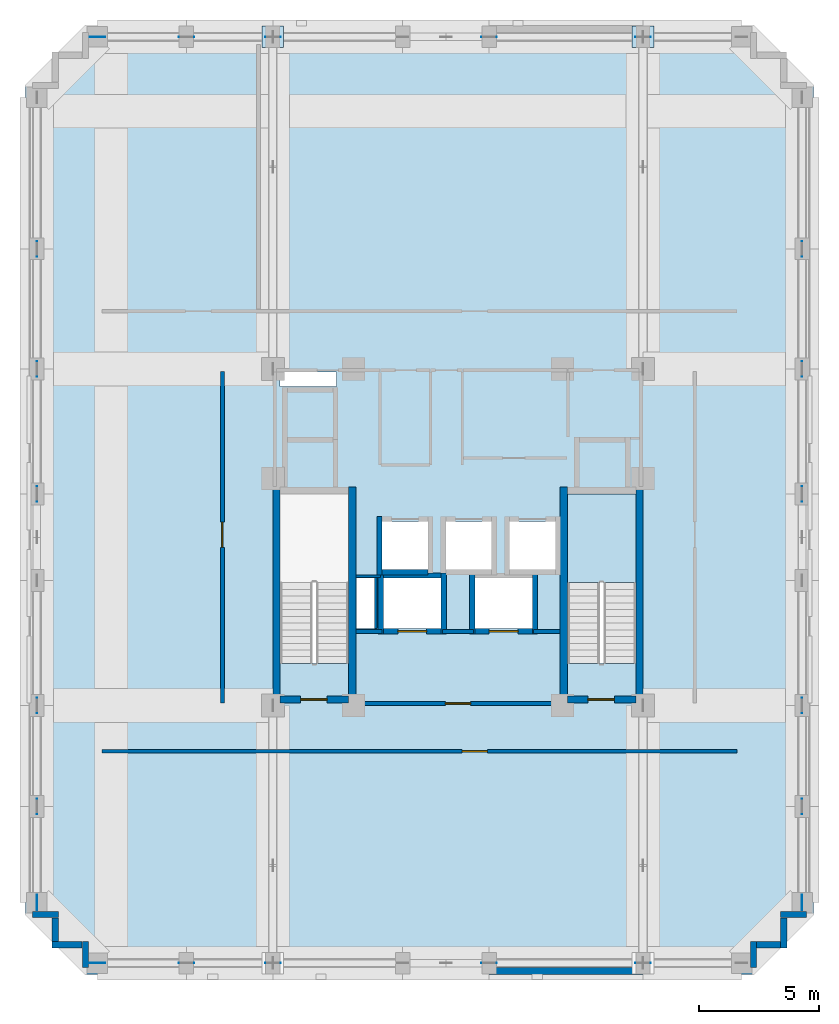
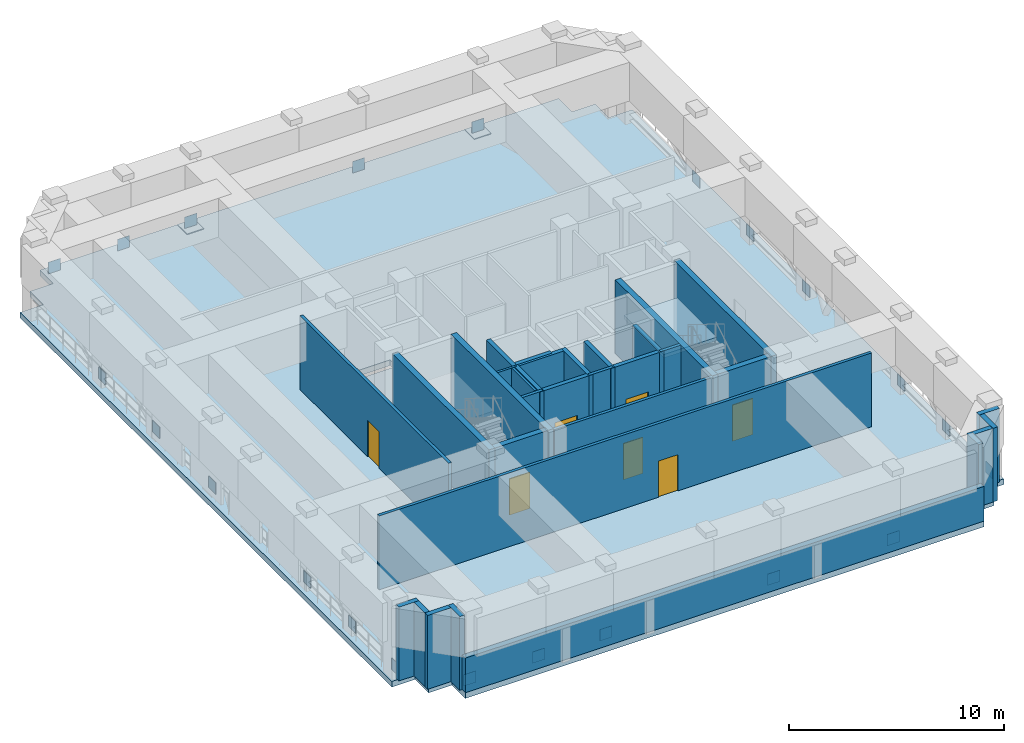
# One storey, part 3 of 12: 32 walls, 24 plates, 7 doors, 2 slabs, 7 openings, 1 element without a shape of its own.
"""IFC4 building model written with IfcOpenShell, lengths in metres."""

from ifc_helpers import new_model, si_unit, derived_unit, direction, frame, frame_2d, origin, origin_2d, place, context, subcontext, project, spatial, polyline, rectangle, outline, extrude, material, layer, layer_set, type_object, element, fill, aggregate, save


model = new_model("IFC4")

# Units and contexts
model_context = context("Model", 3, precision=1e-05, world=origin(), true_north=direction((0.0, 1.0)))
body_context = subcontext(model_context, "Body", "Model", "MODEL_VIEW")
ifc_project = project(units=[si_unit("LENGTHUNIT", "METRE"), si_unit("AREAUNIT", "SQUARE_METRE"), si_unit("VOLUMEUNIT", "CUBIC_METRE"), si_unit("PLANEANGLEUNIT", "RADIAN"), si_unit("MASSUNIT", "GRAM", prefix="KILO"), derived_unit("THERMALTRANSMITTANCEUNIT", [(si_unit("MASSUNIT", "GRAM", prefix="KILO"), 1), (si_unit("TIMEUNIT", "SECOND"), -3), (si_unit("THERMODYNAMICTEMPERATUREUNIT", "KELVIN"), -1)])], contexts=[model_context])

# Site, building, storey
site_placement = place(None, origin())
site = spatial("IfcSite", under=ifc_project, at=site_placement, CompositionType="ELEMENT")
building_placement = place(site_placement, origin())
building = spatial("IfcBuilding", under=site, at=building_placement, Name="Korrvale Station Residences", CompositionType="ELEMENT")
storey_placement = place(building_placement, frame((0.0, 0.0, 169.89990234375)))
storey = spatial("IfcBuildingStorey", under=building, at=storey_placement, Name="L49", CompositionType="ELEMENT", Elevation=169.89990234375)

# Plates
ifc_material_1 = material(Name="Steel S355", Category="steel")
ifc_layer_1 = layer(ifc_material_1, 0.034912109375, Name="Steel S355")
ifc_layer_set_1 = layer_set([ifc_layer_1], Name="Steel S355")
plate_type_1 = type_object("IfcPlateType", Name="PLT-BASE-35", PredefinedType="SHEET", material=ifc_layer_set_1)
for number, where, z_axis, x_axis, name in (
    (1, (17.800048828125, 42.820068359375, 0.0), (0.0, 0.0, 1.0), (1.0, 0.0, 0.0), "L49 Outrigger Anchor Base Plate 3"),
    (2, (33.199951171875, 42.820068359375, 0.0), (0.0, 0.0, 1.0), (1.0, 0.0, 0.0), "L49 Outrigger Anchor Base Plate 4"),
):
    element("IfcPlate", number, at=place(storey_placement, frame(where, z_axis=z_axis, x_axis=x_axis)), inside=storey, type_object=plate_type_1, Name=name, PredefinedType="SHEET", context=body_context, shape_type="SweptSolid", body=[
        extrude(rectangle(XDim=0.89990234375, YDim=0.89990234375, at=origin_2d()), origin(), (0.0, 0.0, 1.0), 0.034912109375),
    ])
ifc_layer_2 = layer(ifc_material_1, 0.02490234375, Name="Steel S355")
ifc_layer_set_2 = layer_set([ifc_layer_2], Name="Steel S355")
plate_type_2 = type_object("IfcPlateType", Name="PLT-GUSSET-25", PredefinedType="SHEET", material=ifc_layer_set_2)
for number, where, z_axis, x_axis, name in (
    (3, (10.5, 4.280029296875, 0.025146484375), (0.0, 0.0, 1.0), (1.0, 0.0, 0.0), "L49 Belt Truss Node Gusset Plate 01"),
    (4, (14.199951171875, 4.280029296875, 0.025146484375), (0.0, 0.0, 1.0), (1.0, 0.0, 0.0), "L49 Belt Truss Node Gusset Plate 02"),
    (5, (17.800048828125, 4.280029296875, 0.025146484375), (0.0, 0.0, 1.0), (1.0, 0.0, 0.0), "L49 Belt Truss Node Gusset Plate 03"),
    (6, (26.800048828125, 4.280029296875, 0.025146484375), (0.0, 0.0, 1.0), (1.0, 0.0, 0.0), "L49 Belt Truss Node Gusset Plate 04"),
    (7, (33.199951171875, 4.280029296875, 0.025146484375), (0.0, 0.0, 1.0), (1.0, 0.0, 0.0), "L49 Belt Truss Node Gusset Plate 05"),
    (8, (10.5, 42.820068359375, 0.025146484375), (0.0, 0.0, 1.0), (1.0, 0.0, 0.0), "L49 Belt Truss Node Gusset Plate 06"),
    (9, (14.199951171875, 42.820068359375, 0.025146484375), (0.0, 0.0, 1.0), (1.0, 0.0, 0.0), "L49 Belt Truss Node Gusset Plate 07"),
    (10, (17.800048828125, 42.820068359375, 0.025146484375), (0.0, 0.0, 1.0), (1.0, 0.0, 0.0), "L49 Belt Truss Node Gusset Plate 08"),
    (11, (26.800048828125, 42.820068359375, 0.025146484375), (0.0, 0.0, 1.0), (1.0, 0.0, 0.0), "L49 Belt Truss Node Gusset Plate 09"),
    (12, (33.199951171875, 42.820068359375, 0.025146484375), (0.0, 0.0, 1.0), (1.0, 0.0, 0.0), "L49 Belt Truss Node Gusset Plate 10"),
    (13, (7.97998046875, 6.800048828125, 0.025146484375), (0.0, 0.0, 1.0), (0.0, 1.0, 0.0), "L49 Belt Truss Node Gusset Plate 11"),
    (14, (7.97998046875, 10.800048828125, 0.025146484375), (0.0, 0.0, 1.0), (0.0, 1.0, 0.0), "L49 Belt Truss Node Gusset Plate 12"),
    (15, (7.97998046875, 15.0, 0.025146484375), (0.0, 0.0, 1.0), (0.0, 1.0, 0.0), "L49 Belt Truss Node Gusset Plate 13"),
    (16, (7.97998046875, 23.800048828125, 0.025146484375), (0.0, 0.0, 1.0), (0.0, 1.0, 0.0), "L49 Belt Truss Node Gusset Plate 14"),
    (17, (7.97998046875, 29.0, 0.025146484375), (0.0, 0.0, 1.0), (0.0, 1.0, 0.0), "L49 Belt Truss Node Gusset Plate 15"),
    (18, (7.97998046875, 34.0, 0.025146484375), (0.0, 0.0, 1.0), (0.0, 1.0, 0.0), "L49 Belt Truss Node Gusset Plate 16"),
    (19, (39.820068359375, 6.800048828125, 0.025146484375), (0.0, 0.0, 1.0), (0.0, 1.0, 0.0), "L49 Belt Truss Node Gusset Plate 17"),
    (20, (39.820068359375, 10.800048828125, 0.025146484375), (0.0, 0.0, 1.0), (0.0, 1.0, 0.0), "L49 Belt Truss Node Gusset Plate 18"),
    (21, (39.820068359375, 15.0, 0.025146484375), (0.0, 0.0, 1.0), (0.0, 1.0, 0.0), "L49 Belt Truss Node Gusset Plate 19"),
    (22, (39.820068359375, 23.800048828125, 0.025146484375), (0.0, 0.0, 1.0), (0.0, 1.0, 0.0), "L49 Belt Truss Node Gusset Plate 20"),
    (23, (39.820068359375, 29.0, 0.025146484375), (0.0, 0.0, 1.0), (0.0, 1.0, 0.0), "L49 Belt Truss Node Gusset Plate 21"),
    (24, (39.820068359375, 34.0, 0.025146484375), (0.0, 0.0, 1.0), (0.0, 1.0, 0.0), "L49 Belt Truss Node Gusset Plate 22"),
):
    element("IfcPlate", number, at=place(storey_placement, frame(where, z_axis=z_axis, x_axis=x_axis)), inside=storey, type_object=plate_type_2, Name=name, PredefinedType="SHEET", context=body_context, shape_type="SweptSolid", body=[
        extrude(rectangle(XDim=0.64990234375, YDim=0.02490234375, at=origin_2d()), origin(), (0.0, 0.0, 1.0), 0.64990234375),
    ])

# Slab
ifc_material_2 = material(Name="Concrete C50/60", Category="concrete")
ifc_layer_3 = layer(ifc_material_2, 0.320068359375, Name="Concrete C50/60")
ifc_layer_set_3 = layer_set([ifc_layer_3], Name="Concrete C50/60")
slab_type_1 = type_object("IfcSlabType", Name="SLB-FLR-320", PredefinedType="FLOOR", material=ifc_layer_set_3)
slab_1_placement = place(storey_placement, frame((0.0, 0.0, -0.31982421875)))
element("IfcSlab", 25, at=slab_1_placement, inside=storey, type_object=slab_type_1, Name="L49 Suspended Structural Floor Slab", PredefinedType="FLOOR", context=body_context, shape_type="SweptSolid", body=[
    extrude(outline(polyline([(10.0, 3.800048828125), (37.800048828125, 3.800048828125), (37.800048828125, 5.050048828125), (39.050048828125, 5.050048828125), (39.050048828125, 6.300048828125), (40.300048828125, 6.300048828125), (40.300048828125, 40.800048828125), (39.050048828125, 40.800048828125), (39.050048828125, 42.050048828125), (37.800048828125, 42.050048828125), (37.800048828125, 43.300048828125), (10.0, 43.300048828125), (10.0, 42.050048828125), (8.75, 42.050048828125), (8.75, 40.800048828125), (7.5, 40.800048828125), (7.5, 6.300048828125), (8.75, 6.300048828125), (8.75, 5.050048828125), (10.0, 5.050048828125), (10.0, 3.800048828125)]), holes=[polyline([(20.949951171875, 16.751953125), (20.949951171875, 23.800048828125), (18.10009765625, 23.800048828125), (18.10009765625, 16.751953125), (20.949951171875, 16.751953125)]), polyline([(32.89990234375, 16.751953125), (32.89990234375, 23.800048828125), (30.050048828125, 23.800048828125), (30.050048828125, 16.751953125), (32.89990234375, 16.751953125)]), polyline([(22.35009765625, 20.64990234375), (24.25, 20.64990234375), (24.25, 22.64990234375), (22.35009765625, 22.64990234375), (22.35009765625, 20.64990234375)]), polyline([(25.0, 20.64990234375), (26.89990234375, 20.64990234375), (26.89990234375, 22.64990234375), (25.0, 22.64990234375), (25.0, 20.64990234375)]), polyline([(27.64990234375, 20.64990234375), (29.550048828125, 20.64990234375), (29.550048828125, 22.64990234375), (27.64990234375, 22.64990234375), (27.64990234375, 20.64990234375)]), polyline([(22.39990234375, 18.199951171875), (24.800048828125, 18.199951171875), (24.800048828125, 20.300048828125), (22.39990234375, 20.300048828125), (22.39990234375, 18.199951171875)]), polyline([(26.199951171875, 18.199951171875), (28.60009765625, 18.199951171875), (28.60009765625, 20.300048828125), (26.199951171875, 20.300048828125), (26.199951171875, 18.199951171875)]), polyline([(18.10009765625, 28.280029296875), (20.449951171875, 28.280029296875), (20.449951171875, 28.8798828125), (18.10009765625, 28.8798828125), (18.10009765625, 28.280029296875)]), polyline([(21.280029296875, 18.199951171875), (22.02001953125, 18.199951171875), (22.02001953125, 20.300048828125), (21.280029296875, 20.300048828125), (21.280029296875, 18.199951171875)])]), origin(), (0.0, 0.0, 1.0), 0.31982421875),
])

# Stair, slab
stair_type = type_object("IfcStairType", Name="STR-DL-1350-26R-1731", PredefinedType="HALF_TURN_STAIR", material=ifc_material_2)
stair_placement = place(storey_placement, origin())
stair = element("IfcStair", 26, at=stair_placement, inside=storey, type_object=stair_type, Name="L49 Exit Stair 2", PredefinedType="HALF_TURN_STAIR")
ifc_layer_4 = layer(ifc_material_2, 0.199951171875, Name="Concrete C50/60")
ifc_layer_set_4 = layer_set([ifc_layer_4], Name="Concrete C50/60")
slab_type_2 = type_object("IfcSlabType", Name="SLB-LND-200", PredefinedType="LANDING", material=ifc_layer_set_4)
slab_2_placement = place(storey_placement, frame((0.0, 0.0, 2.050048828125)))
slab_2 = element("IfcSlab", 27, at=slab_2_placement, type_object=slab_type_2, Name="ST-2 landing 1", PredefinedType="LANDING", context=body_context, shape_type="SweptSolid", body=[
    extrude(outline(polyline([(32.89990234375, 20.110107421875), (32.89990234375, 23.800048828125), (30.050048828125, 23.800048828125), (30.050048828125, 20.110107421875), (32.89990234375, 20.110107421875)])), origin(), (0.0, 0.0, 1.0), 0.199951171875),
])
aggregate(stair, [slab_2])

# Walls
ifc_material_3 = material(Name="Concrete C60/75", Category="concrete")
ifc_layer_5 = layer(ifc_material_3, 0.300048828125, Name="Concrete C60/75")
ifc_layer_set_5 = layer_set([ifc_layer_5], Name="Concrete C60/75")
wall_type_1 = type_object("IfcWallType", Name="WAL-CORE-300-C60", PredefinedType="SHEAR", material=ifc_layer_set_5)
for number, where, z_axis, x_axis, name in (
    (28, (17.949951171875, 15.10009765625, 0.0), (0.0, 0.0, 1.0), (0.0, 1.0, 0.0), "L49 ST-1 Core Shear Wall West"),
    (29, (21.10009765625, 15.10009765625, 0.0), (0.0, 0.0, 1.0), (0.0, 1.0, 0.0), "L49 ST-1 Core Shear Wall East"),
):
    element("IfcWall", number, at=place(storey_placement, frame(where, z_axis=z_axis, x_axis=x_axis)), inside=storey, type_object=wall_type_1, Name=name, PredefinedType="SHEAR", context=body_context, shape_type="SweptSolid", body=[
        extrude(rectangle(XDim=9.0, YDim=0.300048828125, at=frame_2d((4.5, 0.0))), origin(), (0.0, 0.0, 1.0), 4.18017578125),
    ])

# Wall, opening, door
wall_1_placement = place(storey_placement, frame((18.10009765625, 15.25, 0.0), z_axis=(0.0, 0.0, 1.0), x_axis=(1.0, 0.0, 0.0)))
wall_1 = element("IfcWall", 30, at=wall_1_placement, inside=storey, type_object=wall_type_1, Name="L49 ST-1 Core Shear Wall South", PredefinedType="SHEAR", context=body_context, shape_type="SweptSolid", body=[
    extrude(rectangle(XDim=2.849853515625, YDim=0.300048828125, at=frame_2d((1.4248046875, 0.0))), origin(), (0.0, 0.0, 1.0), 4.18017578125),
])
opening_1_placement = place(wall_1_placement, frame((0.860107421875, 0.0, 0.0)))
opening_1 = element("IfcOpeningElement", 31, at=opening_1_placement, cuts=wall_1, Name="Opening SD-1100", PredefinedType="OPENING", context=body_context, shape_type="SweptSolid", body=[
    extrude(rectangle(XDim=1.10009765625, YDim=2.050048828125, at=frame_2d((0.550048828125, 1.02490234375))), frame((0.0, 0.16015625, 0.0), z_axis=(0.0, -1.0, 0.0), x_axis=(1.0, 0.0, 0.0)), (0.0, 0.0, 1.0), 0.320068359375),
])
ifc_material_4 = material(Name="Hollow-metal fire-rated stair door with closer", Category="steel")
door_type_1 = type_object("IfcDoorType", Name="DR-STAIR-1100", OperationType="NOTDEFINED", PredefinedType="DOOR", material=ifc_material_4)
door_1_placement = place(opening_1_placement, origin())
door_1 = element("IfcDoor", 32, at=door_1_placement, inside=storey, type_object=door_type_1, Name="L49 ST-1 Exit Stair Door", OperationType="SINGLE_SWING_LEFT", OverallHeight=2.050048828125, OverallWidth=1.10009765625, PredefinedType="DOOR", context=body_context, shape_type="SweptSolid", body=[
    extrude(rectangle(XDim=1.10009765625, YDim=2.050048828125, at=frame_2d((0.550048828125, 1.02490234375))), frame((0.0, 0.02490234375, 0.0), z_axis=(0.0, -1.0, 0.0), x_axis=(1.0, 0.0, 0.0)), (0.0, 0.0, 1.0), 0.050048828125),
])
fill(opening_1, door_1)

# Walls
for number, where, z_axis, x_axis, name in (
    (33, (29.89990234375, 15.10009765625, 0.0), (0.0, 0.0, 1.0), (0.0, 1.0, 0.0), "L49 ST-2 Core Shear Wall West"),
    (34, (33.050048828125, 15.10009765625, 0.0), (0.0, 0.0, 1.0), (0.0, 1.0, 0.0), "L49 ST-2 Core Shear Wall East"),
):
    element("IfcWall", number, at=place(storey_placement, frame(where, z_axis=z_axis, x_axis=x_axis)), inside=storey, type_object=wall_type_1, Name=name, PredefinedType="SHEAR", context=body_context, shape_type="SweptSolid", body=[
        extrude(rectangle(XDim=9.0, YDim=0.300048828125, at=frame_2d((4.5, 0.0))), origin(), (0.0, 0.0, 1.0), 4.18017578125),
    ])

# Wall, opening, door
wall_2_placement = place(storey_placement, frame((30.050048828125, 15.25, 0.0), z_axis=(0.0, 0.0, 1.0), x_axis=(1.0, 0.0, 0.0)))
wall_2 = element("IfcWall", 35, at=wall_2_placement, inside=storey, type_object=wall_type_1, Name="L49 ST-2 Core Shear Wall South", PredefinedType="SHEAR", context=body_context, shape_type="SweptSolid", body=[
    extrude(rectangle(XDim=2.849853515625, YDim=0.300048828125, at=frame_2d((1.4248046875, 0.0))), origin(), (0.0, 0.0, 1.0), 4.18017578125),
])
opening_2_placement = place(wall_2_placement, frame((0.860107421875, 0.0, 0.0)))
opening_2 = element("IfcOpeningElement", 36, at=opening_2_placement, cuts=wall_2, Name="Opening SD-1100", PredefinedType="OPENING", context=body_context, shape_type="SweptSolid", body=[
    extrude(rectangle(XDim=1.10009765625, YDim=2.050048828125, at=frame_2d((0.550048828125, 1.02490234375))), frame((0.0, 0.16015625, 0.0), z_axis=(0.0, -1.0, 0.0), x_axis=(1.0, 0.0, 0.0)), (0.0, 0.0, 1.0), 0.320068359375),
])
door_2_placement = place(opening_2_placement, origin())
door_2 = element("IfcDoor", 37, at=door_2_placement, inside=storey, type_object=door_type_1, Name="L49 ST-2 Exit Stair Door", OperationType="SINGLE_SWING_RIGHT", OverallHeight=2.050048828125, OverallWidth=1.10009765625, PredefinedType="DOOR", context=body_context, shape_type="SweptSolid", body=[
    extrude(rectangle(XDim=1.10009765625, YDim=2.050048828125, at=frame_2d((0.550048828125, 1.02490234375))), frame((0.0, 0.02490234375, 0.0), z_axis=(0.0, -1.0, 0.0), x_axis=(1.0, 0.0, 0.0)), (0.0, 0.0, 1.0), 0.050048828125),
])
fill(opening_2, door_2)

# Walls
ifc_material_5 = material(Name="Precast concrete C45/55", Category="concrete")
ifc_layer_6 = layer(ifc_material_5, 0.260009765625, Name="Precast concrete C45/55")
ifc_layer_set_6 = layer_set([ifc_layer_6], Name="Precast concrete C45/55")
wall_type_2 = type_object("IfcWallType", Name="WAL-EXT-LOG260", PredefinedType="SOLIDWALL", material=ifc_layer_set_6)
wall_3_placement = place(storey_placement, frame((39.998046875, 6.300048828125, 0.0), z_axis=(0.0, 0.0, 1.0), x_axis=(-1.0, 0.0, 0.0)))
element("IfcWall", 38, at=wall_3_placement, inside=storey, type_object=wall_type_2, Name="L49 Serrated Corner Precast Step SE-1", PredefinedType="SOLIDWALL", context=body_context, shape_type="SweptSolid", body=[
    extrude(rectangle(XDim=1.078125, YDim=0.260009765625, at=frame_2d((0.5390625, 0.0))), origin(), (0.0, 0.0, 1.0), 4.18017578125),
])
wall_4_placement = place(storey_placement, frame((39.050048828125, 6.16796875, 0.0), z_axis=(0.0, 0.0, 1.0), x_axis=(0.0, -1.0, 0.0)))
element("IfcWall", 39, at=wall_4_placement, inside=storey, type_object=wall_type_2, Name="L49 Serrated Corner Precast Step SE-2", PredefinedType="SOLIDWALL", context=body_context, shape_type="SweptSolid", body=[
    extrude(rectangle(XDim=1.248046875, YDim=0.260009765625, at=frame_2d((0.6240234375, 0.0))), origin(), (0.0, 0.0, 1.0), 4.18017578125),
])
wall_5_placement = place(storey_placement, frame((38.91796875, 5.050048828125, 0.0), z_axis=(0.0, 0.0, 1.0), x_axis=(-1.0, 0.0, 0.0)))
element("IfcWall", 40, at=wall_5_placement, inside=storey, type_object=wall_type_2, Name="L49 Serrated Corner Precast Step SE-3", PredefinedType="SOLIDWALL", context=body_context, shape_type="SweptSolid", body=[
    extrude(rectangle(XDim=0.986083984375, YDim=0.260009765625, at=frame_2d((0.4931640625, 0.0))), origin(), (0.0, 0.0, 1.0), 4.18017578125),
])
for number, where, z_axis, x_axis, name in (
    (41, (37.800048828125, 5.179931640625, 0.0), (0.0, 0.0, 1.0), (0.0, -1.0, 0.0), "L49 Serrated Corner Precast Step SE-4"),
    (42, (10.0, 4.10205078125, 0.0), (0.0, 0.0, 1.0), (0.0, 1.0, 0.0), "L49 Serrated Corner Precast Step SW-1"),
):
    element("IfcWall", number, at=place(storey_placement, frame(where, z_axis=z_axis, x_axis=x_axis)), inside=storey, type_object=wall_type_2, Name=name, PredefinedType="SOLIDWALL", context=body_context, shape_type="SweptSolid", body=[
        extrude(rectangle(XDim=1.077880859375, YDim=0.260009765625, at=frame_2d((0.5390625, 0.0))), origin(), (0.0, 0.0, 1.0), 4.18017578125),
    ])
wall_6_placement = place(storey_placement, frame((9.867919921875, 5.050048828125, 0.0), z_axis=(0.0, 0.0, 1.0), x_axis=(-1.0, 0.0, 0.0)))
element("IfcWall", 43, at=wall_6_placement, inside=storey, type_object=wall_type_2, Name="L49 Serrated Corner Precast Step SW-2", PredefinedType="SOLIDWALL", context=body_context, shape_type="SweptSolid", body=[
    extrude(rectangle(XDim=1.247802734375, YDim=0.260009765625, at=frame_2d((0.6240234375, 0.0))), origin(), (0.0, 0.0, 1.0), 4.18017578125),
])
wall_7_placement = place(storey_placement, frame((8.75, 5.181884765625, 0.0), z_axis=(0.0, 0.0, 1.0), x_axis=(0.0, 1.0, 0.0)))
element("IfcWall", 44, at=wall_7_placement, inside=storey, type_object=wall_type_2, Name="L49 Serrated Corner Precast Step SW-3", PredefinedType="SOLIDWALL", context=body_context, shape_type="SweptSolid", body=[
    extrude(rectangle(XDim=0.986083984375, YDim=0.260009765625, at=frame_2d((0.4931640625, 0.0))), origin(), (0.0, 0.0, 1.0), 4.18017578125),
])
wall_8_placement = place(storey_placement, frame((8.8798828125, 6.300048828125, 0.0), z_axis=(0.0, 0.0, 1.0), x_axis=(-1.0, 0.0, 0.0)))
element("IfcWall", 45, at=wall_8_placement, inside=storey, type_object=wall_type_2, Name="L49 Serrated Corner Precast Step SW-4", PredefinedType="SOLIDWALL", context=body_context, shape_type="SweptSolid", body=[
    extrude(rectangle(XDim=1.077880859375, YDim=0.260009765625, at=frame_2d((0.5390625, 0.0))), origin(), (0.0, 0.0, 1.0), 4.18017578125),
])
ifc_layer_7 = layer(ifc_material_5, 0.300048828125, Name="Precast concrete C45/55")
ifc_layer_set_7 = layer_set([ifc_layer_7], Name="Precast concrete C45/55")
wall_type_3 = type_object("IfcWallType", Name="WAL-EXT-PC300", PredefinedType="SOLIDWALL", material=ifc_layer_set_7)
wall_9_placement = place(storey_placement, frame((37.800048828125, 3.949951171875, 0.0), z_axis=(0.0, 0.0, 1.0), x_axis=(-1.0, 0.0, 0.0)))
element("IfcWall", 46, at=wall_9_placement, inside=storey, type_object=wall_type_3, Name="L49 South Exterior Precast Wall 1", PredefinedType="SOLIDWALL", context=body_context, shape_type="SweptSolid", body=[
    extrude(rectangle(XDim=27.800048828125, YDim=0.300048828125, at=frame_2d((13.89990234375, 0.0))), origin(), (0.0, 0.0, 1.0), 1.965087890625),
])
ifc_material_6 = material(Name="Acoustic steel-stud gypsum board partition", Category="steel")
ifc_layer_8 = layer(ifc_material_6, 0.1201171875, Name="Acoustic steel-stud gypsum board partition")
ifc_layer_set_8 = layer_set([ifc_layer_8], Name="Acoustic steel-stud gypsum board partition")
wall_type_4 = type_object("IfcWallType", Name="WAL-PART-125", PredefinedType="PARTITIONING", material=ifc_layer_set_8)
wall_10_placement = place(storey_placement, frame((22.080078125, 18.199951171875, 0.0), z_axis=(0.0, 0.0, 1.0), x_axis=(0.0, 1.0, 0.0)))
element("IfcWall", 47, at=wall_10_placement, inside=storey, type_object=wall_type_4, Name="L49 Core Partition CW-RSWT", PredefinedType="PARTITIONING", context=body_context, shape_type="SweptSolid", body=[
    extrude(rectangle(XDim=2.1201171875, YDim=0.1201171875, at=frame_2d((1.06005859375, 0.0))), origin(), (0.0, 0.0, 1.0), 4.18017578125),
])
wall_11_placement = place(storey_placement, frame((22.280029296875, 20.3798828125, 0.0), z_axis=(0.0, 0.0, 1.0), x_axis=(-1.0, 0.0, 0.0)))
element("IfcWall", 48, at=wall_11_placement, inside=storey, type_object=wall_type_4, Name="L49 Core Partition CW-RSWT-N", PredefinedType="PARTITIONING", context=body_context, shape_type="SweptSolid", body=[
    extrude(rectangle(XDim=1.02001953125, YDim=0.1201171875, at=frame_2d((0.510009765625, 0.0))), origin(), (0.0, 0.0, 1.0), 4.18017578125),
])

# Wall, opening, door
ifc_material_7 = material(Name="Fire-rated twin-stud gypsum and mineral wool shaftwall assembly", Category="gypsum")
ifc_layer_9 = layer(ifc_material_7, 0.159912109375, Name="Fire-rated twin-stud gypsum and mineral wool shaftwall assembly")
ifc_layer_set_9 = layer_set([ifc_layer_9], Name="Fire-rated twin-stud gypsum and mineral wool shaftwall assembly")
wall_type_5 = type_object("IfcWallType", Name="WAL-PART-200", PredefinedType="PARTITIONING", material=ifc_layer_set_9)
wall_12_placement = place(storey_placement, frame((21.25, 15.080078125, 0.0), z_axis=(0.0, 0.0, 1.0), x_axis=(1.0, 0.0, 0.0)))
wall_12 = element("IfcWall", 49, at=wall_12_placement, inside=storey, type_object=wall_type_5, Name="L49 Core Partition CW-FFL-S", PredefinedType="PARTITIONING", context=body_context, shape_type="SweptSolid", body=[
    extrude(rectangle(XDim=8.5, YDim=0.159912109375, at=frame_2d((4.25, 0.0))), origin(), (0.0, 0.0, 1.0), 4.18017578125),
])
opening_3_placement = place(wall_12_placement, frame((3.72509765625, 0.0, 0.0)))
opening_3 = element("IfcOpeningElement", 50, at=opening_3_placement, cuts=wall_12, Name="Opening FD-1050", PredefinedType="OPENING", context=body_context, shape_type="SweptSolid", body=[
    extrude(rectangle(XDim=1.050048828125, YDim=2.050048828125, at=frame_2d((0.52490234375, 1.02490234375))), frame((0.0, 0.08984375, 0.0), z_axis=(0.0, -1.0, 0.0), x_axis=(1.0, 0.0, 0.0)), (0.0, 0.0, 1.0), 0.179931640625),
])
ifc_material_8 = material(Name="Fire-rated mineral-core timber lobby door", Category="wood")
door_type_2 = type_object("IfcDoorType", Name="DR-CORE-1050", OperationType="NOTDEFINED", PredefinedType="DOOR", material=ifc_material_8)
door_3_placement = place(opening_3_placement, origin())
door_3 = element("IfcDoor", 51, at=door_3_placement, inside=storey, type_object=door_type_2, Name="L49 Firefighting Lobby Entry Door", OperationType="SINGLE_SWING_RIGHT", OverallHeight=2.050048828125, OverallWidth=1.050048828125, PredefinedType="DOOR", context=body_context, shape_type="SweptSolid", body=[
    extrude(rectangle(XDim=1.050048828125, YDim=2.050048828125, at=frame_2d((0.52490234375, 1.02490234375))), frame((0.0, 0.02490234375, 0.0), z_axis=(0.0, -1.0, 0.0), x_axis=(1.0, 0.0, 0.0)), (0.0, 0.0, 1.0), 0.050048828125),
])
fill(opening_3, door_3)

# Walls
wall_13_placement = place(storey_placement, frame((21.25, 18.080078125, 0.0), z_axis=(0.0, 0.0, 1.0), x_axis=(1.0, 0.0, 0.0)))
element("IfcWall", 52, at=wall_13_placement, inside=storey, type_object=wall_type_5, Name="L49 Core Partition CW-FFL-N1", PredefinedType="PARTITIONING", context=body_context, shape_type="SweptSolid", body=[
    extrude(rectangle(XDim=1.10009765625, YDim=0.159912109375, at=frame_2d((0.550048828125, 0.0))), origin(), (0.0, 0.0, 1.0), 4.18017578125),
])
wall_14_placement = place(storey_placement, frame((24.85009765625, 18.080078125, 0.0), z_axis=(0.0, 0.0, 1.0), x_axis=(1.0, 0.0, 0.0)))
element("IfcWall", 53, at=wall_14_placement, inside=storey, type_object=wall_type_5, Name="L49 Core Partition CW-FFL-N2", PredefinedType="PARTITIONING", context=body_context, shape_type="SweptSolid", body=[
    extrude(rectangle(XDim=1.2998046875, YDim=0.159912109375, at=frame_2d((0.64990234375, 0.0))), origin(), (0.0, 0.0, 1.0), 4.18017578125),
])
wall_15_placement = place(storey_placement, frame((28.64990234375, 18.080078125, 0.0), z_axis=(0.0, 0.0, 1.0), x_axis=(1.0, 0.0, 0.0)))
element("IfcWall", 54, at=wall_15_placement, inside=storey, type_object=wall_type_5, Name="L49 Core Partition CW-FFL-N3", PredefinedType="PARTITIONING", context=body_context, shape_type="SweptSolid", body=[
    extrude(rectangle(XDim=1.10009765625, YDim=0.159912109375, at=frame_2d((0.550048828125, 0.0))), origin(), (0.0, 0.0, 1.0), 4.18017578125),
])

# Wall, opening, door
wall_16_placement = place(storey_placement, frame((10.699951171875, 13.10009765625, 0.0), z_axis=(0.0, 0.0, 1.0), x_axis=(1.0, 0.0, 0.0)))
wall_16 = element("IfcWall", 55, at=wall_16_placement, inside=storey, type_object=wall_type_5, Name="L49 Interior Partition W-RS", PredefinedType="PARTITIONING", context=body_context, shape_type="SweptSolid", body=[
    extrude(rectangle(XDim=26.400146484375, YDim=0.159912109375, at=frame_2d((13.2001953125, 0.0))), origin(), (0.0, 0.0, 1.0), 4.18017578125),
])
opening_4_placement = place(wall_16_placement, frame((14.97509765625, 0.0, 0.0)))
opening_4 = element("IfcOpeningElement", 56, at=opening_4_placement, cuts=wall_16, Name="Opening FD-1050", PredefinedType="OPENING", context=body_context, shape_type="SweptSolid", body=[
    extrude(rectangle(XDim=1.050048828125, YDim=2.050048828125, at=frame_2d((0.52490234375, 1.02490234375))), frame((0.0, 0.08984375, 0.0), z_axis=(0.0, -1.0, 0.0), x_axis=(1.0, 0.0, 0.0)), (0.0, 0.0, 1.0), 0.179931640625),
])
door_4_placement = place(opening_4_placement, origin())
door_4 = element("IfcDoor", 57, at=door_4_placement, inside=storey, type_object=door_type_2, Name="L49 Heat Exchanger Plant Door", OperationType="SINGLE_SWING_RIGHT", OverallHeight=2.050048828125, OverallWidth=1.050048828125, PredefinedType="DOOR", context=body_context, shape_type="SweptSolid", body=[
    extrude(rectangle(XDim=1.050048828125, YDim=2.050048828125, at=frame_2d((0.52490234375, 1.02490234375))), frame((0.0, 0.02490234375, 0.0), z_axis=(0.0, -1.0, 0.0), x_axis=(1.0, 0.0, 0.0)), (0.0, 0.0, 1.0), 0.050048828125),
])
fill(opening_4, door_4)

wall_17_placement = place(storey_placement, frame((15.699951171875, 15.10009765625, 0.0), z_axis=(0.0, 0.0, 1.0), x_axis=(0.0, 1.0, 0.0)))
wall_17 = element("IfcWall", 58, at=wall_17_placement, inside=storey, type_object=wall_type_5, Name="L49 Interior Partition W-RW", PredefinedType="PARTITIONING", context=body_context, shape_type="SweptSolid", body=[
    extrude(rectangle(XDim=13.7998046875, YDim=0.159912109375, at=frame_2d((6.89990234375, 0.0))), origin(), (0.0, 0.0, 1.0), 4.18017578125),
])
opening_5_placement = place(wall_17_placement, frame((6.47509765625, 0.0, 0.0)))
opening_5 = element("IfcOpeningElement", 59, at=opening_5_placement, cuts=wall_17, Name="Opening FD-1050", PredefinedType="OPENING", context=body_context, shape_type="SweptSolid", body=[
    extrude(rectangle(XDim=1.050048828125, YDim=2.050048828125, at=frame_2d((0.52490234375, 1.02490234375))), frame((0.0, 0.08984375, 0.0), z_axis=(0.0, -1.0, 0.0), x_axis=(1.0, 0.0, 0.0)), (0.0, 0.0, 1.0), 0.179931640625),
])
door_5_placement = place(opening_5_placement, origin())
door_5 = element("IfcDoor", 60, at=door_5_placement, inside=storey, type_object=door_type_2, Name="L49 West Refuge Area Fire Door", OperationType="SINGLE_SWING_LEFT", OverallHeight=2.050048828125, OverallWidth=1.050048828125, PredefinedType="DOOR", context=body_context, shape_type="SweptSolid", body=[
    extrude(rectangle(XDim=1.050048828125, YDim=2.050048828125, at=frame_2d((0.52490234375, 1.02490234375))), frame((0.0, 0.02490234375, 0.0), z_axis=(0.0, -1.0, 0.0), x_axis=(1.0, 0.0, 0.0)), (0.0, 0.0, 1.0), 0.050048828125),
])
fill(opening_5, door_5)

# Walls
ifc_layer_10 = layer(ifc_material_3, 0.219970703125, Name="Concrete C60/75")
ifc_layer_set_10 = layer_set([ifc_layer_10], Name="Concrete C60/75")
wall_type_6 = type_object("IfcWallType", Name="WAL-SHAFT-220-C60", PredefinedType="SHEAR", material=ifc_layer_set_10)
wall_18_placement = place(storey_placement, frame((22.35009765625, 20.5400390625, 0.0), z_axis=(0.0, 0.0, 1.0), x_axis=(1.0, 0.0, 0.0)))
element("IfcWall", 61, at=wall_18_placement, inside=storey, type_object=wall_type_6, Name="L49 Elevator PM-1 Hoistway Wall South", PredefinedType="SHEAR", context=body_context, shape_type="SweptSolid", body=[
    extrude(rectangle(XDim=1.89990234375, YDim=0.219970703125, at=frame_2d((0.949951171875, 0.0))), origin(), (0.0, 0.0, 1.0), 4.18017578125),
])
wall_19_placement = place(storey_placement, frame((22.239990234375, 20.429931640625, 0.0), z_axis=(0.0, 0.0, 1.0), x_axis=(0.0, 1.0, 0.0)))
element("IfcWall", 62, at=wall_19_placement, inside=storey, type_object=wall_type_6, Name="L49 Elevator PM-1 Hoistway Wall West", PredefinedType="SHEAR", context=body_context, shape_type="SweptSolid", body=[
    extrude(rectangle(XDim=2.440185546875, YDim=0.219970703125, at=frame_2d((1.22021484375, 0.0))), origin(), (0.0, 0.0, 1.0), 4.18017578125),
])

# Wall, opening, door
wall_20_placement = place(storey_placement, frame((22.39990234375, 18.090087890625, 0.0), z_axis=(0.0, 0.0, 1.0), x_axis=(1.0, 0.0, 0.0)))
wall_20 = element("IfcWall", 63, at=wall_20_placement, inside=storey, type_object=wall_type_6, Name="L49 Elevator FFL-1 Hoistway Wall South", PredefinedType="SHEAR", context=body_context, shape_type="SweptSolid", body=[
    extrude(rectangle(XDim=2.400146484375, YDim=0.219970703125, at=frame_2d((1.2001953125, 0.0))), origin(), (0.0, 0.0, 1.0), 4.18017578125),
])
opening_6_placement = place(wall_20_placement, frame((0.60009765625, 0.0, 0.0)))
opening_6 = element("IfcOpeningElement", 64, at=opening_6_placement, cuts=wall_20, Name="Opening LD-FF1200", PredefinedType="OPENING", context=body_context, shape_type="SweptSolid", body=[
    extrude(rectangle(XDim=1.199951171875, YDim=2.14990234375, at=frame_2d((0.60009765625, 1.074951171875))), frame((0.0, 0.1201171875, 0.0), z_axis=(0.0, -1.0, 0.0), x_axis=(1.0, 0.0, 0.0)), (0.0, 0.0, 1.0), 0.239990234375),
])
ifc_material_9 = material(Name="Stainless-steel firefighter elevator landing sliding door", Category="steel")
door_type_3 = type_object("IfcDoorType", Name="DR-LIFT-FF1200", OperationType="SLIDING_TO_LEFT", PredefinedType="DOOR", material=ifc_material_9)
door_6_placement = place(opening_6_placement, origin())
door_6 = element("IfcDoor", 65, at=door_6_placement, inside=storey, type_object=door_type_3, Name="L49 Elevator FFL-1 Sliding Landing Door", OperationType="SLIDING_TO_LEFT", OverallHeight=2.14990234375, OverallWidth=1.199951171875, PredefinedType="DOOR", context=body_context, shape_type="SweptSolid", body=[
    extrude(rectangle(XDim=1.199951171875, YDim=2.14990234375, at=frame_2d((0.60009765625, 1.074951171875))), frame((0.0, 0.02490234375, 0.0), z_axis=(0.0, -1.0, 0.0), x_axis=(1.0, 0.0, 0.0)), (0.0, 0.0, 1.0), 0.050048828125),
])
fill(opening_6, door_6)

# Walls
wall_21_placement = place(storey_placement, frame((22.39990234375, 20.409912109375, 0.0), z_axis=(0.0, 0.0, 1.0), x_axis=(1.0, 0.0, 0.0)))
element("IfcWall", 66, at=wall_21_placement, inside=storey, type_object=wall_type_6, Name="L49 Elevator FFL-1 Hoistway Wall North", PredefinedType="SHEAR", context=body_context, shape_type="SweptSolid", body=[
    extrude(rectangle(XDim=2.400146484375, YDim=0.219970703125, at=frame_2d((1.2001953125, 0.0))), origin(), (0.0, 0.0, 1.0), 4.18017578125),
])
for number, where, z_axis, x_axis, name in (
    (67, (22.2900390625, 17.97998046875, 0.0), (0.0, 0.0, 1.0), (0.0, 1.0, 0.0), "L49 Elevator FFL-1 Hoistway Wall West"),
    (68, (24.909912109375, 17.97998046875, 0.0), (0.0, 0.0, 1.0), (0.0, 1.0, 0.0), "L49 Elevator FFL-1 Hoistway Wall East"),
):
    element("IfcWall", number, at=place(storey_placement, frame(where, z_axis=z_axis, x_axis=x_axis)), inside=storey, type_object=wall_type_6, Name=name, PredefinedType="SHEAR", context=body_context, shape_type="SweptSolid", body=[
        extrude(rectangle(XDim=2.5400390625, YDim=0.219970703125, at=frame_2d((1.27001953125, 0.0))), origin(), (0.0, 0.0, 1.0), 4.18017578125),
    ])

# Wall, opening, door
wall_22_placement = place(storey_placement, frame((26.199951171875, 18.090087890625, 0.0), z_axis=(0.0, 0.0, 1.0), x_axis=(1.0, 0.0, 0.0)))
wall_22 = element("IfcWall", 69, at=wall_22_placement, inside=storey, type_object=wall_type_6, Name="L49 Elevator FFL-2 Hoistway Wall South", PredefinedType="SHEAR", context=body_context, shape_type="SweptSolid", body=[
    extrude(rectangle(XDim=2.400146484375, YDim=0.219970703125, at=frame_2d((1.2001953125, 0.0))), origin(), (0.0, 0.0, 1.0), 4.18017578125),
])
opening_7_placement = place(wall_22_placement, frame((0.60009765625, 0.0, 0.0)))
opening_7 = element("IfcOpeningElement", 70, at=opening_7_placement, cuts=wall_22, Name="Opening LD-FF1200", PredefinedType="OPENING", context=body_context, shape_type="SweptSolid", body=[
    extrude(rectangle(XDim=1.199951171875, YDim=2.14990234375, at=frame_2d((0.60009765625, 1.074951171875))), frame((0.0, 0.1201171875, 0.0), z_axis=(0.0, -1.0, 0.0), x_axis=(1.0, 0.0, 0.0)), (0.0, 0.0, 1.0), 0.239990234375),
])
door_7_placement = place(opening_7_placement, origin())
door_7 = element("IfcDoor", 71, at=door_7_placement, inside=storey, type_object=door_type_3, Name="L49 Elevator FFL-2 Sliding Landing Door", OperationType="SLIDING_TO_LEFT", OverallHeight=2.14990234375, OverallWidth=1.199951171875, PredefinedType="DOOR", context=body_context, shape_type="SweptSolid", body=[
    extrude(rectangle(XDim=1.199951171875, YDim=2.14990234375, at=frame_2d((0.60009765625, 1.074951171875))), frame((0.0, 0.02490234375, 0.0), z_axis=(0.0, -1.0, 0.0), x_axis=(1.0, 0.0, 0.0)), (0.0, 0.0, 1.0), 0.050048828125),
])
fill(opening_7, door_7)

# Walls
for number, where, z_axis, x_axis, name in (
    (72, (26.090087890625, 17.97998046875, 0.0), (0.0, 0.0, 1.0), (0.0, 1.0, 0.0), "L49 Elevator FFL-2 Hoistway Wall West"),
    (73, (28.7099609375, 17.97998046875, 0.0), (0.0, 0.0, 1.0), (0.0, 1.0, 0.0), "L49 Elevator FFL-2 Hoistway Wall East"),
):
    element("IfcWall", number, at=place(storey_placement, frame(where, z_axis=z_axis, x_axis=x_axis)), inside=storey, type_object=wall_type_6, Name=name, PredefinedType="SHEAR", context=body_context, shape_type="SweptSolid", body=[
        extrude(rectangle(XDim=2.5400390625, YDim=0.219970703125, at=frame_2d((1.27001953125, 0.0))), origin(), (0.0, 0.0, 1.0), 4.18017578125),
    ])

save(model, "model.ifc")
